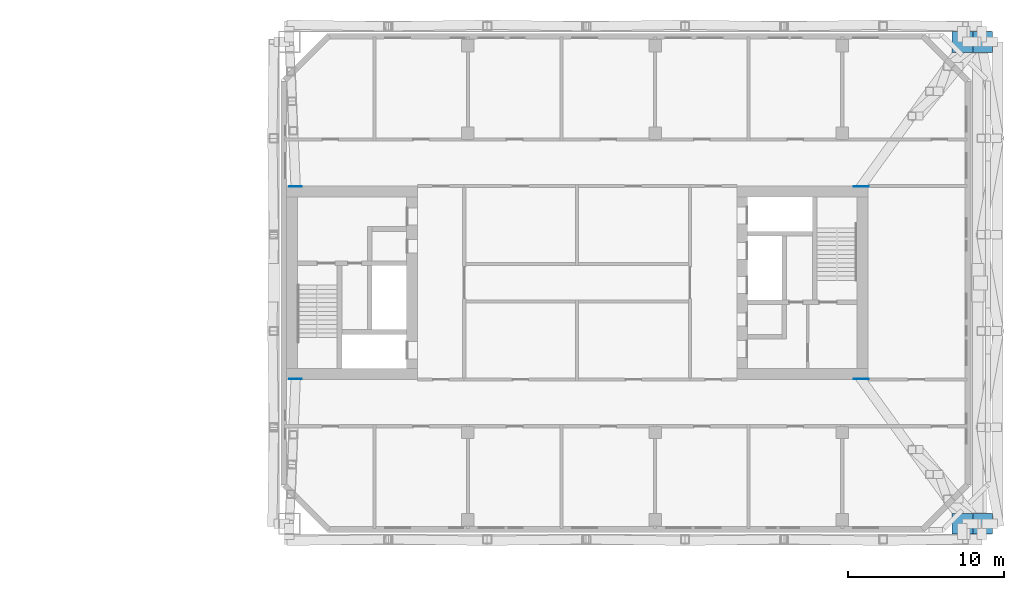
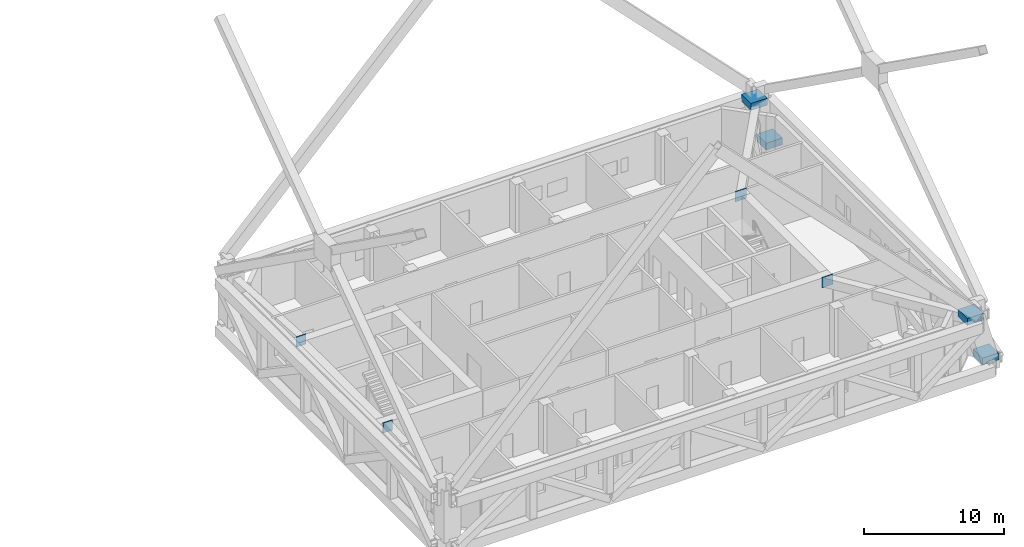
# One storey, part 19 of 20: 8 discrete accessories.
"""IFC4 building model written with IfcOpenShell, lengths in metres."""

import ifcopenshell
import ifcopenshell.guid

model = None  # the IFC model being written
_history = None  # IfcOwnerHistory: only IFC2X3 demands one
_inside = {}  # id of a spatial element -> (the spatial element, [elements in it])
_under = {}  # id of a project, library or spatial element -> (it, [spatial elements below it])
_declared = {}  # id of a project -> (the project, [libraries it declares])
_typed = {}  # id of a type object -> (the type object, [elements of that type])
_made_of = {}  # id of a material, layer set ... -> (it, [elements and type objects made of it])


def new_model(schema):
    """Start an empty IFC model of exactly this schema.

    Asked for "IFC4X3", IfcOpenShell would pick the latest addendum, in which some entities
    have other attributes; the version numbers below select the first issue.
    IFC2X3 requires an IfcOwnerHistory on every rooted entity: one is made here for all.
    """
    global model, _history
    if schema == "IFC4X3":
        model = ifcopenshell.file(schema_version=(4, 3, 0, 0))
    else:
        model = ifcopenshell.file(schema=schema)
    _inside.clear()
    _under.clear()
    _declared.clear()
    _typed.clear()
    _made_of.clear()
    _history = None
    if model.schema == "IFC2X3":
        org = make("IfcOrganization", Name="unknown")
        user = make(
            "IfcPersonAndOrganization",
            ThePerson=make("IfcPerson", FamilyName="unknown"),
            TheOrganization=org,
        )
        app = make(
            "IfcApplication",
            ApplicationDeveloper=org,
            Version="unknown",
            ApplicationFullName="unknown",
            ApplicationIdentifier="unknown",
        )
        _history = make(
            "IfcOwnerHistory",
            OwningUser=user,
            OwningApplication=app,
            ChangeAction="ADDED",
            CreationDate=0,
        )
    return model


def make(cls, **values):
    """One entity of the class cls with the attributes given. An attribute that is None is left unset."""
    return model.create_entity(
        cls, **{name: value for name, value in values.items() if value is not None}
    )


def rooted(cls, **values):
    """An entity with a GlobalId (a new one), such as an element, a storey or a relation."""
    return make(cls, GlobalId=ifcopenshell.guid.new(), OwnerHistory=_history, **values)


def si_unit(unit_type, name, prefix=None):
    """IfcSIUnit, for example si_unit("LENGTHUNIT", "METRE", prefix="MILLI")."""
    return make("IfcSIUnit", UnitType=unit_type, Prefix=prefix, Name=name)


def assignment(units):
    """IfcUnitAssignment: the units of a project."""
    return None if units is None else make("IfcUnitAssignment", Units=units)


def point(xyz):
    """IfcCartesianPoint."""
    return None if xyz is None else make("IfcCartesianPoint", Coordinates=xyz)


def direction(xyz):
    """IfcDirection."""
    return None if xyz is None else make("IfcDirection", DirectionRatios=xyz)


def frame(location, z_axis=None, x_axis=None):
    """IfcAxis2Placement3D, a coordinate frame: its origin and axes. An axis left out is left unset."""
    return make(
        "IfcAxis2Placement3D",
        Location=point(location),
        Axis=direction(z_axis),
        RefDirection=direction(x_axis),
    )


def frame_2d(location, x_axis=None):
    """IfcAxis2Placement2D, a coordinate frame in the plane: its origin and x axis."""
    return make(
        "IfcAxis2Placement2D", Location=point(location), RefDirection=direction(x_axis)
    )


def origin():
    """The frame at (0, 0, 0) with its axes left unset."""
    return frame((0.0, 0.0, 0.0))


def origin_2d():
    """The frame at (0, 0) in the plane with its x axis left unset."""
    return frame_2d((0.0, 0.0))


def place(relative_to, where):
    """IfcLocalPlacement: puts the frame where relative to a parent placement (None: the world)."""
    return make(
        "IfcLocalPlacement", PlacementRelTo=relative_to, RelativePlacement=where
    )


def context(
    kind, dimensions, precision=None, world=None, true_north=None, identifier=None
):
    """IfcGeometricRepresentationContext, for example the 3D "Model" context."""
    return make(
        "IfcGeometricRepresentationContext",
        ContextIdentifier=identifier,
        ContextType=kind,
        CoordinateSpaceDimension=dimensions,
        Precision=precision,
        WorldCoordinateSystem=world,
        TrueNorth=true_north,
    )


def subcontext(parent, identifier, kind, view, scale=None):
    """IfcGeometricRepresentationSubContext, for example "Body" below "Model"."""
    return make(
        "IfcGeometricRepresentationSubContext",
        ContextIdentifier=identifier,
        ContextType=kind,
        ParentContext=parent,
        TargetScale=scale,
        TargetView=view,
    )


def project(units=None, contexts=None):
    """IfcProject with its units and contexts."""
    return rooted(
        "IfcProject",
        Name="project",
        RepresentationContexts=contexts,
        UnitsInContext=assignment(units),
    )


def spatial(cls, under=None, at=None, **own):
    """A site, building, storey or space (cls), placed at a placement, below another one or the project."""
    s = rooted(cls, ObjectPlacement=at, **own)
    if under is not None:
        _under.setdefault(under.id(), (under, []))[1].append(s)
    return s


def profile(cls, at=None, kind="AREA", **sizes):
    """A parametric profile (cls). Its sizes go by their IFC names, for example OverallWidth=200.0."""
    return make(cls, ProfileType=kind, Position=at, **sizes)


def rectangle(**sizes):
    """IfcRectangleProfileDef."""
    return profile("IfcRectangleProfileDef", **sizes)


def extrude(swept, where, along, depth):
    """IfcExtrudedAreaSolid: the profile swept, set in the frame where, extruded along a direction by depth."""
    return make(
        "IfcExtrudedAreaSolid",
        SweptArea=swept,
        Position=where,
        ExtrudedDirection=direction(along),
        Depth=depth,
    )


def shape(context_of_items, identifier, shape_type, items):
    """IfcShapeRepresentation: the items that make up one representation, for example the "Body"."""
    return make(
        "IfcShapeRepresentation",
        ContextOfItems=context_of_items,
        RepresentationIdentifier=identifier,
        RepresentationType=shape_type,
        Items=items,
    )


def made_of(thing, what):
    """Note that an element or type object is made of a material, layer set ...; save() writes the relation."""
    if what is not None:
        _made_of.setdefault(what.id(), (what, []))[1].append(thing)
    return thing


def element(
    cls,
    number,
    at=None,
    inside=None,
    cuts=None,
    type_object=None,
    material=None,
    context=None,
    identifier="Body",
    shape_type=None,
    held_by="IfcProductDefinitionShape",
    body=None,
    shapes=None,
    **own,
):
    """One element of the class cls, such as IfcWall. Its Tag is "e" and its number.

    at: its placement. inside: the storey or other place that contains it. cuts: it is an
    opening in that element (IfcRelVoidsElement). A single representation is given by context,
    identifier, shape_type and body (its items); several are given by shapes. held_by: the class
    of the entity that holds the representations. save() writes the other relations.
    """
    e = rooted(cls, Tag="e%d" % number, ObjectPlacement=at, **own)
    if body is not None:
        shapes = [shape(context, identifier, shape_type, body)]
    if shapes is not None:
        e.Representation = make(held_by, Representations=shapes)
    if inside is not None:
        _inside.setdefault(inside.id(), (inside, []))[1].append(e)
    if cuts is not None:
        rooted(
            "IfcRelVoidsElement", RelatingBuildingElement=cuts, RelatedOpeningElement=e
        )
    if type_object is not None:
        _typed.setdefault(type_object.id(), (type_object, []))[1].append(e)
    return made_of(e, material)


def aggregate(whole, parts):
    """IfcRelAggregates: a whole, such as a stair, and the parts it consists of."""
    return rooted("IfcRelAggregates", RelatingObject=whole, RelatedObjects=parts)


def save(model, path):
    """Write the relations noted so far, then the file.

    IfcRelAggregates (storeys below a building ...), IfcRelContainedInSpatialStructure (elements
    in a storey), IfcRelDefinesByType, IfcRelAssociatesMaterial and IfcRelDeclares: one each for
    every whole, place, type object, material and project.
    """
    for whole, parts in _under.values():
        aggregate(whole, parts)
    for where, things in _inside.values():
        rooted(
            "IfcRelContainedInSpatialStructure",
            RelatedElements=things,
            RelatingStructure=where,
        )
    for kind, things in _typed.values():
        rooted("IfcRelDefinesByType", RelatedObjects=things, RelatingType=kind)
    for what, things in _made_of.values():
        rooted("IfcRelAssociatesMaterial", RelatedObjects=things, RelatingMaterial=what)
    for by, libraries in _declared.values():
        rooted("IfcRelDeclares", RelatingContext=by, RelatedDefinitions=libraries)
    model.write(path)


model = new_model("IFC4")

# Units and contexts
model_context = context("Model", 3, precision=1e-05, world=origin(), true_north=direction((0.0, 1.0)))
body_context = subcontext(model_context, "Body", "Model", "MODEL_VIEW")
ifc_project = project(units=[si_unit("LENGTHUNIT", "METRE"), si_unit("AREAUNIT", "SQUARE_METRE"), si_unit("VOLUMEUNIT", "CUBIC_METRE"), si_unit("PLANEANGLEUNIT", "RADIAN"), si_unit("MASSUNIT", "GRAM", prefix="KILO")], contexts=[model_context])

# Site, building, storey
site_placement = place(None, origin())
site = spatial("IfcSite", under=ifc_project, at=site_placement, CompositionType="ELEMENT")
building_placement = place(site_placement, origin())
building = spatial("IfcBuilding", under=site, at=building_placement, Name="Tuart Gate Housing", CompositionType="ELEMENT")
storey_placement = place(building_placement, frame((0.0, 0.0, 62.89990234375)))
storey = spatial("IfcBuildingStorey", under=building, at=storey_placement, Name="L17", CompositionType="ELEMENT", Elevation=62.89990234375)

# Discrete accessories
for number, where, z_axis, x_axis, name in (
    (1, (175.949951171875, 54.550048828125, 0.0), (0.0, 0.0, 1.0), (1.0, 0.0, 0.0), "Mega column node B south-east foot L17"),
    (2, (174.699951171875, 54.550048828125, 3.900146484375), (0.0, 0.0, 1.0), (1.0, 0.0, 0.0), "Mega column node B south-east head L17"),
    (3, (175.949951171875, 85.449951171875, 0.0), (0.0, 0.0, 1.0), (1.0, 0.0, 0.0), "Mega column node B north-east foot L17"),
    (4, (174.699951171875, 85.449951171875, 3.900146484375), (0.0, 0.0, 1.0), (1.0, 0.0, 0.0), "Mega column node B north-east head L17"),
):
    element("IfcDiscreteAccessory", number, at=place(storey_placement, frame(where, z_axis=z_axis, x_axis=x_axis)), inside=storey, Name=name, ObjectType="Mega column node", PredefinedType="USERDEFINED", context=body_context, shape_type="SweptSolid", body=[
        extrude(rectangle(XDim=1.343994140625, YDim=1.343994140625, at=origin_2d()), origin(), (0.0, 0.0, 1.0), 0.60009765625),
    ])
for number, where, z_axis, x_axis, name in (
    (5, (168.220458984375, 63.820068359375, 3.35009765625), (0.0, 0.0, 1.0), (1.0, 0.0, 0.0), "Outrigger embed plate BK south L17"),
    (6, (168.220458984375, 76.179931640625, 3.35009765625), (0.0, 0.0, 1.0), (1.0, 0.0, 0.0), "Outrigger embed plate BK north L17"),
):
    element("IfcDiscreteAccessory", number, at=place(storey_placement, frame(where, z_axis=z_axis, x_axis=x_axis)), inside=storey, Name=name, PredefinedType="ANCHORPLATE", context=body_context, shape_type="SweptSolid", body=[
        extrude(rectangle(XDim=0.93994140625, YDim=0.0400390625, at=origin_2d()), origin(), (0.0, 0.0, 1.0), 0.89990234375),
    ])
for number, where, z_axis, x_axis, name in (
    (7, (131.94921875, 63.820068359375, 3.35009765625), (0.0, 0.0, 1.0), (1.0, 0.0, 0.0), "Outrigger embed plate BG south L17"),
    (8, (131.94921875, 76.179931640625, 3.35009765625), (0.0, 0.0, 1.0), (1.0, 0.0, 0.0), "Outrigger embed plate BG north L17"),
):
    element("IfcDiscreteAccessory", number, at=place(storey_placement, frame(where, z_axis=z_axis, x_axis=x_axis)), inside=storey, Name=name, PredefinedType="ANCHORPLATE", context=body_context, shape_type="SweptSolid", body=[
        extrude(rectangle(XDim=0.800537109375, YDim=0.0400390625, at=origin_2d()), origin(), (0.0, 0.0, 1.0), 0.89990234375),
    ])

save(model, "model.ifc")
